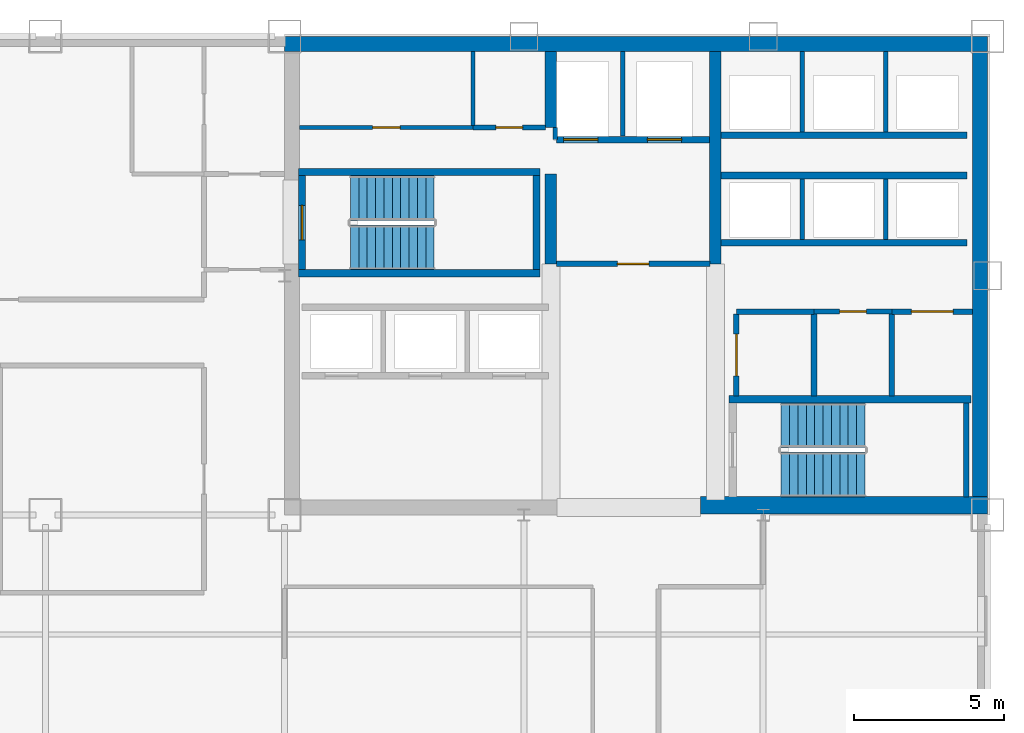
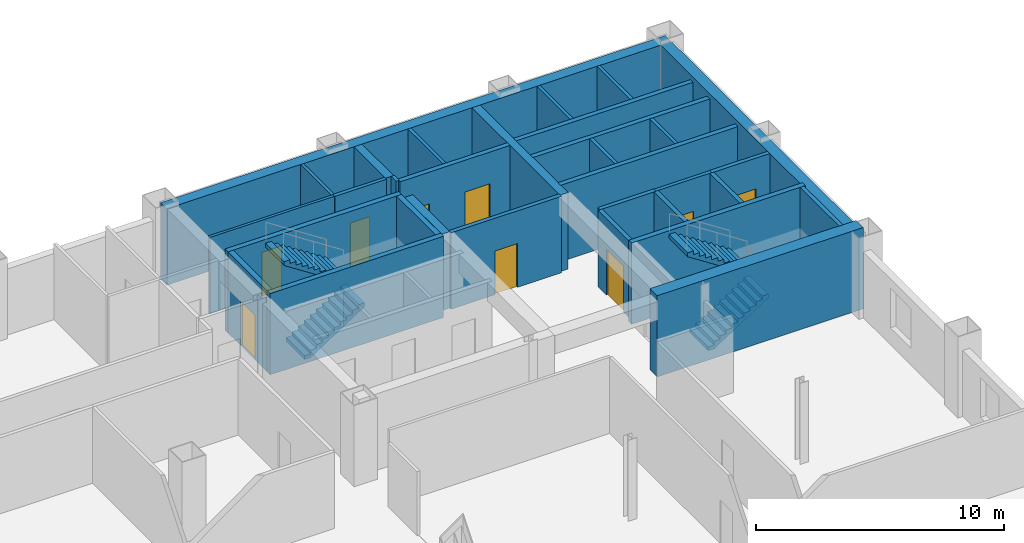
# One storey, part 7 of 9: 32 walls, 9 doors, 4 stair flights, 9 openings, 2 elements without a shape of their own.
"""IFC4 building model written with IfcOpenShell, lengths in metres."""

from ifc_helpers import new_model, si_unit, direction, frame, frame_2d, origin, place, context, subcontext, project, spatial, polyline, rectangle, outline, extrude, material, layer, layer_set, type_object, element, fill, aggregate, save


model = new_model("IFC4")

# Units and contexts
model_context = context("Model", 3, precision=1e-05, world=origin(), true_north=direction((0.0, 1.0)))
body_context = subcontext(model_context, "Body", "Model", "MODEL_VIEW")
ifc_project = project(units=[si_unit("LENGTHUNIT", "METRE"), si_unit("AREAUNIT", "SQUARE_METRE"), si_unit("VOLUMEUNIT", "CUBIC_METRE"), si_unit("PLANEANGLEUNIT", "RADIAN"), si_unit("MASSUNIT", "GRAM", prefix="KILO")], contexts=[model_context])

# Site, building, storey
site_placement = place(None, origin())
site = spatial("IfcSite", under=ifc_project, at=site_placement, CompositionType="ELEMENT")
building_placement = place(site_placement, origin())
building = spatial("IfcBuilding", under=site, at=building_placement, Name="Qianrong Seaharbour Tower", CompositionType="ELEMENT")
storey_placement = place(building_placement, frame((0.0, 0.0, 143.0)))
storey = spatial("IfcBuildingStorey", under=building, at=storey_placement, Name="L34", CompositionType="ELEMENT", Elevation=143.0)

# Walls
ifc_material_1 = material(Name="Concrete C60/75", Category="concrete")
ifc_layer_1 = layer(ifc_material_1, 0.5)
ifc_layer_set_1 = layer_set([ifc_layer_1], Name="Concrete C60/75")
wall_type_1 = type_object("IfcWallType", Name="WALL-CORE-500", PredefinedType="SHEAR", material=ifc_layer_set_1)
wall_1_placement = place(storey_placement, frame((40.5, 51.75, 0.0), z_axis=(0.0, 0.0, 1.0), x_axis=(1.0, 0.0, 0.0)))
element("IfcWall", 1, at=wall_1_placement, inside=storey, type_object=wall_type_1, Name="L34 North Core Shear Wall", PredefinedType="SHEAR", context=body_context, shape_type="SweptSolid", body=[
    extrude(rectangle(XDim=23.5, YDim=0.5, at=frame_2d((11.75, 0.0))), origin(), (0.0, 0.0, 1.0), 3.764892578125),
])
wall_2_placement = place(storey_placement, frame((63.75, 36.320068359375, 0.0), z_axis=(0.0, 0.0, 1.0), x_axis=(0.0, 1.0, 0.0)))
element("IfcWall", 2, at=wall_2_placement, inside=storey, type_object=wall_type_1, Name="L34 East Core Shear Wall", PredefinedType="SHEAR", context=body_context, shape_type="SweptSolid", body=[
    extrude(rectangle(XDim=15.179931640625, YDim=0.5, at=frame_2d((7.58984375, 0.0))), origin(), (0.0, 0.0, 1.0), 3.764892578125),
])
ifc_material_2 = material(Name="Concrete C70/85", Category="concrete")
ifc_layer_2 = layer(ifc_material_2, 0.580078125)
ifc_layer_set_2 = layer_set([ifc_layer_2], Name="Concrete C70/85")
wall_type_2 = type_object("IfcWallType", Name="WALL-CORE-580", PredefinedType="SHEAR", material=ifc_layer_set_2)
wall_3_placement = place(storey_placement, frame((54.39990234375, 36.320068359375, 0.0), z_axis=(0.0, 0.0, 1.0), x_axis=(1.0, 0.0, 0.0)))
element("IfcWall", 3, at=wall_3_placement, inside=storey, type_object=wall_type_2, Name="L34 South Core Shear Wall S3", PredefinedType="SHEAR", context=body_context, shape_type="SweptSolid", body=[
    extrude(rectangle(XDim=9.60009765625, YDim=0.580078125, at=frame_2d((4.800048828125, 0.0))), origin(), (0.0, 0.0, 1.0), 4.0),
])
ifc_layer_3 = layer(ifc_material_1, 0.3798828125)
ifc_layer_set_3 = layer_set([ifc_layer_3], Name="Concrete C60/75")
wall_type_3 = type_object("IfcWallType", Name="WALL-CORE-INT-380", PredefinedType="SHEAR", material=ifc_layer_set_3)
wall_4_placement = place(storey_placement, frame((49.39990234375, 44.39990234375, 0.0), z_axis=(0.0, 0.0, 1.0), x_axis=(0.0, 1.0, 0.0)))
element("IfcWall", 4, at=wall_4_placement, inside=storey, type_object=wall_type_3, Name="L34 Internal Core Shear Wall IW1N1", PredefinedType="SHEAR", context=body_context, shape_type="SweptSolid", body=[
    extrude(rectangle(XDim=3.0, YDim=0.3798828125, at=frame_2d((1.5, 0.0))), origin(), (0.0, 0.0, 1.0), 3.764892578125),
])
wall_5_placement = place(storey_placement, frame((49.39990234375, 48.949951171875, 0.0), z_axis=(0.0, 0.0, 1.0), x_axis=(0.0, 1.0, 0.0)))
element("IfcWall", 5, at=wall_5_placement, inside=storey, type_object=wall_type_3, Name="L34 Internal Core Shear Wall IW1N2", PredefinedType="SHEAR", context=body_context, shape_type="SweptSolid", body=[
    extrude(rectangle(XDim=2.550048828125, YDim=0.3798828125, at=frame_2d((1.27490234375, 0.0))), origin(), (0.0, 0.0, 1.0), 3.764892578125),
])
wall_6_placement = place(storey_placement, frame((54.89990234375, 44.39990234375, 0.0), z_axis=(0.0, 0.0, 1.0), x_axis=(0.0, 1.0, 0.0)))
element("IfcWall", 6, at=wall_6_placement, inside=storey, type_object=wall_type_3, Name="L34 Internal Core Shear Wall IW2N", PredefinedType="SHEAR", context=body_context, shape_type="SweptSolid", body=[
    extrude(rectangle(XDim=7.10009765625, YDim=0.3798828125, at=frame_2d((3.550048828125, 0.0))), origin(), (0.0, 0.0, 1.0), 3.764892578125),
])

# Wall, opening, door
ifc_material_3 = material(Name="Fire-rated acoustic gypsum board partition")
ifc_layer_4 = layer(ifc_material_3, 0.1650390625)
ifc_layer_set_4 = layer_set([ifc_layer_4], Name="Fire-rated acoustic gypsum board partition")
wall_type_4 = type_object("IfcWallType", Name="WALL-CORR-PART-165", PredefinedType="PARTITIONING", material=ifc_layer_set_4)
wall_7_placement = place(storey_placement, frame((46.800048828125, 48.949951171875, 0.0), z_axis=(0.0, 0.0, 1.0), x_axis=(1.0, 0.0, 0.0)))
wall_7 = element("IfcWall", 7, at=wall_7_placement, inside=storey, type_object=wall_type_4, Name="L34 Interior Partition Wall 008", PredefinedType="PARTITIONING", context=body_context, shape_type="SweptSolid", body=[
    extrude(rectangle(XDim=2.41796875, YDim=0.1650390625, at=frame_2d((1.208984375, 0.0))), origin(), (0.0, 0.0, 1.0), 3.764892578125),
])
opening_1_placement = place(wall_7_placement, frame((0.759033203125, 0.0, 0.0)))
opening_1 = element("IfcOpeningElement", 8, at=opening_1_placement, cuts=wall_7, Name="Opening DS-01", PredefinedType="OPENING", context=body_context, shape_type="SweptSolid", body=[
    extrude(rectangle(XDim=0.89990234375, YDim=2.14990234375, at=frame_2d((0.449951171875, 1.074951171875))), frame((0.0, 0.092529296875, 0.0), z_axis=(0.0, -1.0, 0.0), x_axis=(1.0, 0.0, 0.0)), (0.0, 0.0, 1.0), 0.18505859375),
])
ifc_material_4 = material(Name="Acoustic timber and galvanized steel fire door assembly", Category="steel")
door_type_1 = type_object("IfcDoorType", Name="DOOR-STORE-900x2150", OperationType="NOTDEFINED", PredefinedType="DOOR", material=ifc_material_4)
door_1_placement = place(opening_1_placement, origin())
door_1 = element("IfcDoor", 9, at=door_1_placement, inside=storey, type_object=door_type_1, Name="L34 Janitor Store Room Door", OperationType="SINGLE_SWING_RIGHT", OverallHeight=2.14990234375, OverallWidth=0.89990234375, PredefinedType="DOOR", context=body_context, shape_type="SweptSolid", body=[
    extrude(rectangle(XDim=0.89990234375, YDim=2.14990234375, at=frame_2d((0.449951171875, 1.074951171875))), frame((0.0, 0.02490234375, 0.0), z_axis=(0.0, -1.0, 0.0), x_axis=(1.0, 0.0, 0.0)), (0.0, 0.0, 1.0), 0.050048828125),
])
fill(opening_1, door_1)

wall_8_placement = place(storey_placement, frame((60.800048828125, 42.800048828125, 0.0), z_axis=(0.0, 0.0, 1.0), x_axis=(-1.0, 0.0, 0.0)))
wall_8 = element("IfcWall", 10, at=wall_8_placement, inside=storey, type_object=wall_type_4, Name="L34 Interior Partition Wall 012", PredefinedType="PARTITIONING", context=body_context, shape_type="SweptSolid", body=[
    extrude(rectangle(XDim=2.60009765625, YDim=0.1650390625, at=frame_2d((1.300048828125, 0.0))), origin(), (0.0, 0.0, 1.0), 3.764892578125),
])
opening_2_placement = place(wall_8_placement, frame((0.85009765625, 0.0, 0.0)))
opening_2 = element("IfcOpeningElement", 11, at=opening_2_placement, cuts=wall_8, Name="Opening DS-01", PredefinedType="OPENING", context=body_context, shape_type="SweptSolid", body=[
    extrude(rectangle(XDim=0.89990234375, YDim=2.14990234375, at=frame_2d((0.449951171875, 1.074951171875))), frame((0.0, 0.092529296875, 0.0), z_axis=(0.0, -1.0, 0.0), x_axis=(1.0, 0.0, 0.0)), (0.0, 0.0, 1.0), 0.18505859375),
])
door_2_placement = place(opening_2_placement, origin())
door_2 = element("IfcDoor", 12, at=door_2_placement, inside=storey, type_object=door_type_1, Name="L34 Supply Store Room Door", OperationType="SINGLE_SWING_LEFT", OverallHeight=2.14990234375, OverallWidth=0.89990234375, PredefinedType="DOOR", context=body_context, shape_type="SweptSolid", body=[
    extrude(rectangle(XDim=0.89990234375, YDim=2.14990234375, at=frame_2d((0.449951171875, 1.074951171875))), frame((0.0, 0.02490234375, 0.0), z_axis=(0.0, -1.0, 0.0), x_axis=(1.0, 0.0, 0.0)), (0.0, 0.0, 1.0), 0.050048828125),
])
fill(opening_2, door_2)

ifc_material_5 = material(Name="Double fire-rated gypsum board acoustic partition")
ifc_layer_5 = layer(ifc_material_5, 0.18994140625)
ifc_layer_set_5 = layer_set([ifc_layer_5], Name="Double fire-rated gypsum board acoustic partition")
wall_type_5 = type_object("IfcWallType", Name="WALL-FIRE-PART-190", PredefinedType="PARTITIONING", material=ifc_layer_set_5)
wall_9_placement = place(storey_placement, frame((54.718017578125, 44.39990234375, 0.0), z_axis=(0.0, 0.0, 1.0), x_axis=(-1.0, 0.0, 0.0)))
wall_9 = element("IfcWall", 13, at=wall_9_placement, inside=storey, type_object=wall_type_5, Name="L34 Interior Partition Wall 009", PredefinedType="PARTITIONING", context=body_context, shape_type="SweptSolid", body=[
    extrude(rectangle(XDim=5.135986328125, YDim=0.18994140625, at=frame_2d((2.56787109375, 0.0))), origin(), (0.0, 0.0, 1.0), 3.764892578125),
])
opening_3_placement = place(wall_9_placement, frame((2.04296875, 0.0, 0.0)))
opening_3 = element("IfcOpeningElement", 14, at=opening_3_placement, cuts=wall_9, Name="Opening DC-01", PredefinedType="OPENING", context=body_context, shape_type="SweptSolid", body=[
    extrude(rectangle(XDim=1.050048828125, YDim=2.14990234375, at=frame_2d((0.52490234375, 1.074951171875))), frame((0.0, 0.10498046875, 0.0), z_axis=(0.0, -1.0, 0.0), x_axis=(1.0, 0.0, 0.0)), (0.0, 0.0, 1.0), 0.2099609375),
])
door_type_2 = type_object("IfcDoorType", Name="DOOR-CORR-FD60-1050x2150", OperationType="NOTDEFINED", PredefinedType="DOOR", material=ifc_material_4)
door_3_placement = place(opening_3_placement, origin())
door_3 = element("IfcDoor", 15, at=door_3_placement, inside=storey, type_object=door_type_2, Name="L34 Firefighting Lift Lobby Door", OperationType="SINGLE_SWING_RIGHT", OverallHeight=2.14990234375, OverallWidth=1.050048828125, PredefinedType="DOOR", context=body_context, shape_type="SweptSolid", body=[
    extrude(rectangle(XDim=1.050048828125, YDim=2.14990234375, at=frame_2d((0.52490234375, 1.074951171875))), frame((0.0, 0.02490234375, 0.0), z_axis=(0.0, -1.0, 0.0), x_axis=(1.0, 0.0, 0.0)), (0.0, 0.0, 1.0), 0.050048828125),
])
fill(opening_3, door_3)

wall_10_placement = place(storey_placement, frame((55.60009765625, 42.712890625, 0.0), z_axis=(0.0, 0.0, 1.0), x_axis=(0.0, -1.0, 0.0)))
wall_10 = element("IfcWall", 16, at=wall_10_placement, inside=storey, type_object=wall_type_5, Name="L34 Interior Partition Wall 010", PredefinedType="PARTITIONING", context=body_context, shape_type="SweptSolid", body=[
    extrude(rectangle(XDim=2.73095703125, YDim=0.18994140625, at=frame_2d((1.365478515625, 0.0))), origin(), (0.0, 0.0, 1.0), 3.764892578125),
])
opening_4_placement = place(wall_10_placement, frame((0.66552734375, 0.0, 0.0)))
opening_4 = element("IfcOpeningElement", 17, at=opening_4_placement, cuts=wall_10, Name="Opening DP-01", PredefinedType="OPENING", context=body_context, shape_type="SweptSolid", body=[
    extrude(rectangle(XDim=1.39990234375, YDim=2.25, at=frame_2d((0.699951171875, 1.125))), frame((0.0, 0.10498046875, 0.0), z_axis=(0.0, -1.0, 0.0), x_axis=(1.0, 0.0, 0.0)), (0.0, 0.0, 1.0), 0.2099609375),
])
door_type_3 = type_object("IfcDoorType", Name="DOOR-PLANT-PAIR-1400x2250", OperationType="DOUBLE_DOOR_SINGLE_SWING", PredefinedType="DOOR", material=ifc_material_4)
door_4_placement = place(opening_4_placement, origin())
door_4 = element("IfcDoor", 18, at=door_4_placement, inside=storey, type_object=door_type_3, Name="L34 Core Telecom Room Door", OperationType="DOUBLE_DOOR_SINGLE_SWING", OverallHeight=2.25, OverallWidth=1.39990234375, PredefinedType="DOOR", context=body_context, shape_type="SweptSolid", body=[
    extrude(rectangle(XDim=1.39990234375, YDim=2.25, at=frame_2d((0.699951171875, 1.125))), frame((0.0, 0.02490234375, 0.0), z_axis=(0.0, -1.0, 0.0), x_axis=(1.0, 0.0, 0.0)), (0.0, 0.0, 1.0), 0.050048828125),
])
fill(opening_4, door_4)

# Wall
wall_11_placement = place(storey_placement, frame((58.199951171875, 42.800048828125, 0.0), z_axis=(0.0, 0.0, 1.0), x_axis=(-1.0, 0.0, 0.0)))
element("IfcWall", 19, at=wall_11_placement, inside=storey, type_object=wall_type_5, Name="L34 Interior Partition Wall 011", PredefinedType="PARTITIONING", context=body_context, shape_type="SweptSolid", body=[
    extrude(rectangle(XDim=2.599853515625, YDim=0.18994140625, at=frame_2d((1.2998046875, 0.0))), origin(), (0.0, 0.0, 1.0), 3.764892578125),
])

# Wall, opening, door
wall_12_placement = place(storey_placement, frame((63.5, 42.800048828125, 0.0), z_axis=(0.0, 0.0, 1.0), x_axis=(-1.0, 0.0, 0.0)))
wall_12 = element("IfcWall", 20, at=wall_12_placement, inside=storey, type_object=wall_type_5, Name="L34 Interior Partition Wall 013", PredefinedType="PARTITIONING", context=body_context, shape_type="SweptSolid", body=[
    extrude(rectangle(XDim=2.699951171875, YDim=0.18994140625, at=frame_2d((1.35009765625, 0.0))), origin(), (0.0, 0.0, 1.0), 3.764892578125),
])
opening_5_placement = place(wall_12_placement, frame((0.64990234375, 0.0, 0.0)))
opening_5 = element("IfcOpeningElement", 21, at=opening_5_placement, cuts=wall_12, Name="Opening DP-01", PredefinedType="OPENING", context=body_context, shape_type="SweptSolid", body=[
    extrude(rectangle(XDim=1.39990234375, YDim=2.25, at=frame_2d((0.699951171875, 1.125))), frame((0.0, 0.10498046875, 0.0), z_axis=(0.0, -1.0, 0.0), x_axis=(1.0, 0.0, 0.0)), (0.0, 0.0, 1.0), 0.2099609375),
])
door_5_placement = place(opening_5_placement, origin())
door_5 = element("IfcDoor", 22, at=door_5_placement, inside=storey, type_object=door_type_3, Name="L34 Building Metering Room Door", OperationType="DOUBLE_DOOR_SINGLE_SWING", OverallHeight=2.25, OverallWidth=1.39990234375, PredefinedType="DOOR", context=body_context, shape_type="SweptSolid", body=[
    extrude(rectangle(XDim=1.39990234375, YDim=2.25, at=frame_2d((0.699951171875, 1.125))), frame((0.0, 0.02490234375, 0.0), z_axis=(0.0, -1.0, 0.0), x_axis=(1.0, 0.0, 0.0)), (0.0, 0.0, 1.0), 0.050048828125),
])
fill(opening_5, door_5)

# Walls
for number, where, z_axis, x_axis, name in (
    (23, (58.199951171875, 42.712890625, 0.0), (0.0, 0.0, 1.0), (0.0, -1.0, 0.0), "L34 Interior Partition Wall 015"),
    (24, (60.800048828125, 42.712890625, 0.0), (0.0, 0.0, 1.0), (0.0, -1.0, 0.0), "L34 Interior Partition Wall 016"),
):
    element("IfcWall", number, at=place(storey_placement, frame(where, z_axis=z_axis, x_axis=x_axis)), inside=storey, type_object=wall_type_5, Name=name, PredefinedType="PARTITIONING", context=body_context, shape_type="SweptSolid", body=[
        extrude(rectangle(XDim=2.73095703125, YDim=0.18994140625, at=frame_2d((1.365478515625, 0.0))), origin(), (0.0, 0.0, 1.0), 3.764892578125),
    ])
ifc_material_6 = material(Name="Fire-rated gypsum board on steel studs", Category="steel")
ifc_layer_6 = layer(ifc_material_6, 0.14990234375)
ifc_layer_set_6 = layer_set([ifc_layer_6], Name="Fire-rated gypsum board on steel studs")
wall_type_6 = type_object("IfcWallType", Name="WALL-SHAFT-DIV-150", PredefinedType="PARTITIONING", material=ifc_layer_set_6)
wall_13_placement = place(storey_placement, frame((51.800048828125, 48.669921875, 0.0), z_axis=(0.0, 0.0, 1.0), x_axis=(0.0, 1.0, 0.0)))
element("IfcWall", 25, at=wall_13_placement, inside=storey, type_object=wall_type_6, Name="L34 Firefighting Lift Shaft Divider Wall", PredefinedType="PARTITIONING", context=body_context, shape_type="SweptSolid", body=[
    extrude(rectangle(XDim=2.830078125, YDim=0.14990234375, at=frame_2d((1.4150390625, 0.0))), origin(), (0.0, 0.0, 1.0), 3.764892578125),
])
wall_14_placement = place(storey_placement, frame((49.550048828125, 48.550048828125, 0.0), z_axis=(0.0, 0.0, 1.0), x_axis=(0.0, 1.0, 0.0)))
element("IfcWall", 26, at=wall_14_placement, inside=storey, type_object=wall_type_6, Name="L34 Firefighting Lift Shaft West Return Wall", PredefinedType="PARTITIONING", context=body_context, shape_type="SweptSolid", body=[
    extrude(rectangle(XDim=0.39990234375, YDim=0.14990234375, at=frame_2d((0.199951171875, 0.0))), origin(), (0.0, 0.0, 1.0), 3.764892578125),
])
for number, where, z_axis, x_axis, name in (
    (27, (57.800048828125, 45.2099609375, 0.0), (0.0, 0.0, 1.0), (0.0, 1.0, 0.0), "L34 P3 Lift Hoistway Divider 2"),
    (28, (60.60009765625, 45.2099609375, 0.0), (0.0, 0.0, 1.0), (0.0, 1.0, 0.0), "L34 P3 Lift Hoistway Divider 3"),
):
    element("IfcWall", number, at=place(storey_placement, frame(where, z_axis=z_axis, x_axis=x_axis)), inside=storey, type_object=wall_type_6, Name=name, PredefinedType="PARTITIONING", context=body_context, shape_type="SweptSolid", body=[
        extrude(rectangle(XDim=2.030029296875, YDim=0.14990234375, at=frame_2d((1.01513671875, 0.0))), origin(), (0.0, 0.0, 1.0), 3.764892578125),
    ])
for number, where, z_axis, x_axis, name in (
    (29, (57.800048828125, 48.81005859375, 0.0), (0.0, 0.0, 1.0), (0.0, 1.0, 0.0), "L34 P4 Lift Hoistway Divider 2"),
    (30, (60.60009765625, 48.81005859375, 0.0), (0.0, 0.0, 1.0), (0.0, 1.0, 0.0), "L34 P4 Lift Hoistway Divider 3"),
):
    element("IfcWall", number, at=place(storey_placement, frame(where, z_axis=z_axis, x_axis=x_axis)), inside=storey, type_object=wall_type_6, Name=name, PredefinedType="PARTITIONING", context=body_context, shape_type="SweptSolid", body=[
        extrude(rectangle(XDim=2.68994140625, YDim=0.14990234375, at=frame_2d((1.344970703125, 0.0))), origin(), (0.0, 0.0, 1.0), 3.764892578125),
    ])

# Wall, openings, doors
ifc_layer_7 = layer(ifc_material_6, 0.219970703125)
ifc_layer_set_7 = layer_set([ifc_layer_7], Name="Fire-rated gypsum board on steel studs")
wall_type_7 = type_object("IfcWallType", Name="WALL-SHAFT-GYP220", PredefinedType="PARTITIONING", material=ifc_layer_set_7)
wall_15_placement = place(storey_placement, frame((54.7099609375, 48.550048828125, 0.0), z_axis=(0.0, 0.0, 1.0), x_axis=(-1.0, 0.0, 0.0)))
wall_15 = element("IfcWall", 31, at=wall_15_placement, inside=storey, type_object=wall_type_7, Name="L34 Firefighting Lift Shaft Front Wall", PredefinedType="PARTITIONING", context=body_context, shape_type="SweptSolid", body=[
    extrude(rectangle(XDim=5.119873046875, YDim=0.219970703125, at=frame_2d((2.56005859375, 0.0))), origin(), (0.0, 0.0, 1.0), 3.764892578125),
])
opening_6_placement = place(wall_15_placement, frame((3.735107421875, 0.0, 0.0)))
opening_6 = element("IfcOpeningElement", 32, at=opening_6_placement, cuts=wall_15, Name="Opening LD-01", PredefinedType="OPENING", context=body_context, shape_type="SweptSolid", body=[
    extrude(rectangle(XDim=1.14990234375, YDim=2.199951171875, at=frame_2d((0.574951171875, 1.10009765625))), frame((0.0, 0.1201171875, 0.0), z_axis=(0.0, -1.0, 0.0), x_axis=(1.0, 0.0, 0.0)), (0.0, 0.0, 1.0), 0.239990234375),
])
opening_7_placement = place(wall_15_placement, frame((0.93505859375, 0.0, 0.0)))
opening_7 = element("IfcOpeningElement", 33, at=opening_7_placement, cuts=wall_15, Name="Opening LD-01", PredefinedType="OPENING", context=body_context, shape_type="SweptSolid", body=[
    extrude(rectangle(XDim=1.14990234375, YDim=2.199951171875, at=frame_2d((0.574951171875, 1.10009765625))), frame((0.0, 0.1201171875, 0.0), z_axis=(0.0, -1.0, 0.0), x_axis=(1.0, 0.0, 0.0)), (0.0, 0.0, 1.0), 0.239990234375),
])
ifc_material_7 = material(Name="Stainless steel SUS316L bi-parting lift landing door", Category="steel")
door_type_4 = type_object("IfcDoorType", Name="DOOR-LIFT-FF-1150x2200", OperationType="DOUBLE_DOOR_SLIDING", PredefinedType="DOOR", material=ifc_material_7)
door_6_placement = place(opening_6_placement, origin())
door_6 = element("IfcDoor", 34, at=door_6_placement, inside=storey, type_object=door_type_4, Name="L34 FL-1 Firefighting Lift Landing Door", OperationType="DOUBLE_DOOR_SLIDING", OverallHeight=2.199951171875, OverallWidth=1.14990234375, PredefinedType="DOOR", context=body_context, shape_type="SweptSolid", body=[
    extrude(rectangle(XDim=1.14990234375, YDim=2.199951171875, at=frame_2d((0.574951171875, 1.10009765625))), frame((0.0, 0.02490234375, 0.0), z_axis=(0.0, -1.0, 0.0), x_axis=(1.0, 0.0, 0.0)), (0.0, 0.0, 1.0), 0.050048828125),
])
fill(opening_6, door_6)
door_7_placement = place(opening_7_placement, origin())
door_7 = element("IfcDoor", 35, at=door_7_placement, inside=storey, type_object=door_type_4, Name="L34 FL-2 Firefighting Lift Landing Door", OperationType="DOUBLE_DOOR_SLIDING", OverallHeight=2.199951171875, OverallWidth=1.14990234375, PredefinedType="DOOR", context=body_context, shape_type="SweptSolid", body=[
    extrude(rectangle(XDim=1.14990234375, YDim=2.199951171875, at=frame_2d((0.574951171875, 1.10009765625))), frame((0.0, 0.02490234375, 0.0), z_axis=(0.0, -1.0, 0.0), x_axis=(1.0, 0.0, 0.0)), (0.0, 0.0, 1.0), 0.050048828125),
])
fill(opening_7, door_7)

# Walls
for number, where, z_axis, x_axis, name in (
    (36, (63.320068359375, 45.10009765625, 0.0), (0.0, 0.0, 1.0), (-1.0, 0.0, 0.0), "L34 P3 Lift Hoistway Front Wall"),
    (37, (55.080078125, 47.35009765625, 0.0), (0.0, 0.0, 1.0), (1.0, 0.0, 0.0), "L34 P3 Lift Hoistway Back Wall"),
    (38, (63.320068359375, 48.699951171875, 0.0), (0.0, 0.0, 1.0), (-1.0, 0.0, 0.0), "L34 P4 Lift Hoistway Front Wall"),
):
    element("IfcWall", number, at=place(storey_placement, frame(where, z_axis=z_axis, x_axis=x_axis)), inside=storey, type_object=wall_type_7, Name=name, PredefinedType="PARTITIONING", context=body_context, shape_type="SweptSolid", body=[
        extrude(rectangle(XDim=8.239990234375, YDim=0.219970703125, at=frame_2d((4.1201171875, 0.0))), origin(), (0.0, 0.0, 1.0), 3.764892578125),
    ])
ifc_material_8 = material(Name="Concrete C50/60", Category="concrete")
ifc_layer_8 = layer(ifc_material_8, 0.239990234375)
ifc_layer_set_8 = layer_set([ifc_layer_8], Name="Concrete C50/60")
wall_type_8 = type_object("IfcWallType", Name="WALL-SHAFT-RC240", PredefinedType="SOLIDWALL", material=ifc_layer_set_8)
for number, where, z_axis, x_axis, name in (
    (39, (40.9599609375, 47.469970703125, 0.0), (0.0, 0.0, 1.0), (1.0, 0.0, 0.0), "L34 ST-1 Structural Stair Core Wall N"),
    (40, (49.0400390625, 44.080078125, 0.0), (0.0, 0.0, 1.0), (-1.0, 0.0, 0.0), "L34 ST-1 Structural Stair Core Wall S"),
):
    element("IfcWall", number, at=place(storey_placement, frame(where, z_axis=z_axis, x_axis=x_axis)), inside=storey, type_object=wall_type_8, Name=name, PredefinedType="SOLIDWALL", context=body_context, shape_type="SweptSolid", body=[
        extrude(rectangle(XDim=8.080078125, YDim=0.239990234375, at=frame_2d((4.0400390625, 0.0))), origin(), (0.0, 0.0, 1.0), 4.0),
    ])

# Wall, opening, door
wall_16_placement = place(storey_placement, frame((41.080078125, 47.35009765625, 0.0), z_axis=(0.0, 0.0, 1.0), x_axis=(0.0, -1.0, 0.0)))
wall_16 = element("IfcWall", 41, at=wall_16_placement, inside=storey, type_object=wall_type_8, Name="L34 ST-1 Structural Stair Core Wall W", PredefinedType="SOLIDWALL", context=body_context, shape_type="SweptSolid", body=[
    extrude(rectangle(XDim=3.150146484375, YDim=0.239990234375, at=frame_2d((1.5751953125, 0.0))), origin(), (0.0, 0.0, 1.0), 4.0),
])
opening_8_placement = place(wall_16_placement, frame((1.0, 0.0, 0.0)))
opening_8 = element("IfcOpeningElement", 42, at=opening_8_placement, cuts=wall_16, Name="Opening SD-01", PredefinedType="OPENING", context=body_context, shape_type="SweptSolid", body=[
    extrude(rectangle(XDim=1.14990234375, YDim=2.199951171875, at=frame_2d((0.574951171875, 1.10009765625))), frame((0.0, 0.1298828125, 0.0), z_axis=(0.0, -1.0, 0.0), x_axis=(1.0, 0.0, 0.0)), (0.0, 0.0, 1.0), 0.260009765625),
])
door_type_5 = type_object("IfcDoorType", Name="DOOR-STAIR-FD60-1150x2200", OperationType="NOTDEFINED", PredefinedType="DOOR", material=ifc_material_4)
door_8_placement = place(opening_8_placement, origin())
door_8 = element("IfcDoor", 43, at=door_8_placement, inside=storey, type_object=door_type_5, Name="L34 ST-1 Protected Stair Door", OperationType="SINGLE_SWING_LEFT", OverallHeight=2.199951171875, OverallWidth=1.14990234375, PredefinedType="DOOR", context=body_context, shape_type="SweptSolid", body=[
    extrude(rectangle(XDim=1.14990234375, YDim=2.199951171875, at=frame_2d((0.574951171875, 1.10009765625))), frame((0.0, 0.02490234375, 0.0), z_axis=(0.0, -1.0, 0.0), x_axis=(1.0, 0.0, 0.0)), (0.0, 0.0, 1.0), 0.050048828125),
])
fill(opening_8, door_8)

# Walls
wall_17_placement = place(storey_placement, frame((48.919921875, 44.199951171875, 0.0), z_axis=(0.0, 0.0, 1.0), x_axis=(0.0, 1.0, 0.0)))
element("IfcWall", 44, at=wall_17_placement, inside=storey, type_object=wall_type_8, Name="L34 ST-1 Structural Stair Core Wall E", PredefinedType="SOLIDWALL", context=body_context, shape_type="SweptSolid", body=[
    extrude(rectangle(XDim=3.150146484375, YDim=0.239990234375, at=frame_2d((1.5751953125, 0.0))), origin(), (0.0, 0.0, 1.0), 4.0),
])
wall_18_placement = place(storey_placement, frame((55.360107421875, 39.8701171875, 0.0), z_axis=(0.0, 0.0, 1.0), x_axis=(1.0, 0.0, 0.0)))
element("IfcWall", 45, at=wall_18_placement, inside=storey, type_object=wall_type_8, Name="L34 ST-2 Structural Stair Core Wall N", PredefinedType="SOLIDWALL", context=body_context, shape_type="SweptSolid", body=[
    extrude(rectangle(XDim=8.079833984375, YDim=0.239990234375, at=frame_2d((4.0400390625, 0.0))), origin(), (0.0, 0.0, 1.0), 4.0),
])
wall_19_placement = place(storey_placement, frame((63.2900390625, 36.60009765625, 0.0), z_axis=(0.0, 0.0, 1.0), x_axis=(0.0, 1.0, 0.0)))
element("IfcWall", 46, at=wall_19_placement, inside=storey, type_object=wall_type_8, Name="L34 ST-2 Structural Stair Core Wall E", PredefinedType="SOLIDWALL", context=body_context, shape_type="SweptSolid", body=[
    extrude(rectangle(XDim=3.14990234375, YDim=0.179931640625, at=frame_2d((1.574951171875, 0.0))), origin(), (0.0, 0.0, 1.0), 4.0),
])

# Wall, opening, door
ifc_material_9 = material(Name="Water-resistant cement board sanitary partition")
ifc_layer_9 = layer(ifc_material_9, 0.1298828125)
ifc_layer_set_9 = layer_set([ifc_layer_9], Name="Water-resistant cement board sanitary partition")
wall_type_9 = type_object("IfcWallType", Name="WALL-WET-PART-130", PredefinedType="PARTITIONING", material=ifc_layer_set_9)
wall_20_placement = place(storey_placement, frame((41.0, 48.949951171875, 0.0), z_axis=(0.0, 0.0, 1.0), x_axis=(1.0, 0.0, 0.0)))
wall_20 = element("IfcWall", 47, at=wall_20_placement, inside=storey, type_object=wall_type_9, Name="L34 Interior Partition Wall 007", PredefinedType="PARTITIONING", context=body_context, shape_type="SweptSolid", body=[
    extrude(rectangle(XDim=5.800048828125, YDim=0.1298828125, at=frame_2d((2.89990234375, 0.0))), origin(), (0.0, 0.0, 1.0), 3.764892578125),
])
opening_9_placement = place(wall_20_placement, frame((2.43994140625, 0.0, 0.0)))
opening_9 = element("IfcOpeningElement", 48, at=opening_9_placement, cuts=wall_20, Name="Opening DW-01", PredefinedType="OPENING", context=body_context, shape_type="SweptSolid", body=[
    extrude(rectangle(XDim=0.919921875, YDim=2.14990234375, at=frame_2d((0.4599609375, 1.074951171875))), frame((0.0, 0.074951171875, 0.0), z_axis=(0.0, -1.0, 0.0), x_axis=(1.0, 0.0, 0.0)), (0.0, 0.0, 1.0), 0.14990234375),
])
door_type_6 = type_object("IfcDoorType", Name="DOOR-WC-920x2150", OperationType="NOTDEFINED", PredefinedType="DOOR", material=ifc_material_4)
door_9_placement = place(opening_9_placement, origin())
door_9 = element("IfcDoor", 49, at=door_9_placement, inside=storey, type_object=door_type_6, Name="L34 Restroom WC Suite Door", OperationType="SINGLE_SWING_LEFT", OverallHeight=2.14990234375, OverallWidth=0.919921875, PredefinedType="DOOR", context=body_context, shape_type="SweptSolid", body=[
    extrude(rectangle(XDim=0.919921875, YDim=2.14990234375, at=frame_2d((0.4599609375, 1.074951171875))), frame((0.0, 0.02490234375, 0.0), z_axis=(0.0, -1.0, 0.0), x_axis=(1.0, 0.0, 0.0)), (0.0, 0.0, 1.0), 0.050048828125),
])
fill(opening_9, door_9)

# Wall
wall_21_placement = place(storey_placement, frame((46.800048828125, 51.5, 0.0), z_axis=(0.0, 0.0, 1.0), x_axis=(0.0, -1.0, 0.0)))
element("IfcWall", 50, at=wall_21_placement, inside=storey, type_object=wall_type_9, Name="L34 Interior Partition Wall 014", PredefinedType="PARTITIONING", context=body_context, shape_type="SweptSolid", body=[
    extrude(rectangle(XDim=2.4755859375, YDim=0.1298828125, at=frame_2d((1.23779296875, 0.0))), origin(), (0.0, 0.0, 1.0), 3.764892578125),
])

# Stair, stair flights
stair_type = type_object("IfcStairType", Name="STAIR-DOGLEG-1500-R22", PredefinedType="HALF_TURN_STAIR", material=ifc_material_8)
stair_1_placement = place(storey_placement, origin())
stair_1 = element("IfcStair", 51, at=stair_1_placement, inside=storey, type_object=stair_type, Name="L34 Protected Escape Stair ST-1", PredefinedType="HALF_TURN_STAIR")
stair_flight_type = type_object("IfcStairFlightType", Name="FLIGHT-STR-1500-R22", PredefinedType="STRAIGHT", material=ifc_material_8)
stair_flight_1_placement = place(storey_placement, frame((42.699951171875, 44.949951171875, 0.0), z_axis=(0.0, 0.0, 1.0), x_axis=(1.0, 0.0, 0.0)))
stair_flight_1 = element("IfcStairFlight", 52, at=stair_flight_1_placement, type_object=stair_flight_type, Name="ST-1 flight 1", NumberOfRisers=11, NumberOfTreads=10, PredefinedType="STRAIGHT", RiserHeight=0.181818182, TreadLength=0.28, context=body_context, shape_type="SweptSolid", body=[
    extrude(outline(polyline([(0.0, 0.0), (0.0, 0.181884765625), (0.280029296875, 0.181884765625), (0.280029296875, 0.363525390625), (0.56005859375, 0.363525390625), (0.56005859375, 0.54541015625), (0.840087890625, 0.54541015625), (0.840087890625, 0.727294921875), (1.1201171875, 0.727294921875), (1.1201171875, 0.9091796875), (1.39990234375, 0.9091796875), (1.39990234375, 1.0908203125), (1.679931640625, 1.0908203125), (1.679931640625, 1.272705078125), (1.9599609375, 1.272705078125), (1.9599609375, 1.45458984375), (2.239990234375, 1.45458984375), (2.239990234375, 1.636474609375), (2.52001953125, 1.636474609375), (2.52001953125, 1.818115234375), (2.800048828125, 1.818115234375), (2.800048828125, 2.0), (2.800048828125, 1.62744140625), (0.293701171875, 0.0), (0.0, 0.0)])), frame((0.0, 0.75, 0.0), z_axis=(0.0, -1.0, 0.0), x_axis=(1.0, 0.0, 0.0)), (0.0, 0.0, 1.0), 1.5),
])
stair_flight_2_placement = place(storey_placement, frame((45.5, 46.60009765625, 2.0), z_axis=(0.0, 0.0, 1.0), x_axis=(-1.0, 0.0, 0.0)))
stair_flight_2 = element("IfcStairFlight", 53, at=stair_flight_2_placement, type_object=stair_flight_type, Name="ST-1 flight 2", NumberOfRisers=11, NumberOfTreads=10, PredefinedType="STRAIGHT", RiserHeight=0.181818182, TreadLength=0.28, context=body_context, shape_type="SweptSolid", body=[
    extrude(outline(polyline([(0.0, 0.0), (0.0, 0.181884765625), (0.280029296875, 0.181884765625), (0.280029296875, 0.363525390625), (0.56005859375, 0.363525390625), (0.56005859375, 0.54541015625), (0.840087890625, 0.54541015625), (0.840087890625, 0.727294921875), (1.1201171875, 0.727294921875), (1.1201171875, 0.9091796875), (1.39990234375, 0.9091796875), (1.39990234375, 1.0908203125), (1.679931640625, 1.0908203125), (1.679931640625, 1.272705078125), (1.9599609375, 1.272705078125), (1.9599609375, 1.45458984375), (2.239990234375, 1.45458984375), (2.239990234375, 1.636474609375), (2.52001953125, 1.636474609375), (2.52001953125, 1.818115234375), (2.800048828125, 1.818115234375), (2.800048828125, 2.0), (2.800048828125, 1.62744140625), (0.293701171875, 0.0), (0.0, 0.0)])), frame((0.0, 0.75, 0.0), z_axis=(0.0, -1.0, 0.0), x_axis=(1.0, 0.0, 0.0)), (0.0, 0.0, 1.0), 1.5),
])
aggregate(stair_1, [stair_flight_1, stair_flight_2])

stair_2_placement = place(storey_placement, origin())
stair_2 = element("IfcStair", 54, at=stair_2_placement, inside=storey, type_object=stair_type, Name="L34 Protected Escape Stair ST-2", PredefinedType="HALF_TURN_STAIR")
stair_flight_3_placement = place(storey_placement, frame((57.10009765625, 37.35009765625, 0.0), z_axis=(0.0, 0.0, 1.0), x_axis=(1.0, 0.0, 0.0)))
stair_flight_3 = element("IfcStairFlight", 55, at=stair_flight_3_placement, type_object=stair_flight_type, Name="ST-2 flight 1", NumberOfRisers=11, NumberOfTreads=10, PredefinedType="STRAIGHT", RiserHeight=0.181818182, TreadLength=0.28, context=body_context, shape_type="SweptSolid", body=[
    extrude(outline(polyline([(0.0, 0.0), (0.0, 0.181884765625), (0.280029296875, 0.181884765625), (0.280029296875, 0.363525390625), (0.56005859375, 0.363525390625), (0.56005859375, 0.54541015625), (0.840087890625, 0.54541015625), (0.840087890625, 0.727294921875), (1.1201171875, 0.727294921875), (1.1201171875, 0.9091796875), (1.39990234375, 0.9091796875), (1.39990234375, 1.0908203125), (1.679931640625, 1.0908203125), (1.679931640625, 1.272705078125), (1.9599609375, 1.272705078125), (1.9599609375, 1.45458984375), (2.239990234375, 1.45458984375), (2.239990234375, 1.636474609375), (2.52001953125, 1.636474609375), (2.52001953125, 1.818115234375), (2.800048828125, 1.818115234375), (2.800048828125, 2.0), (2.800048828125, 1.62744140625), (0.293701171875, 0.0), (0.0, 0.0)])), frame((0.0, 0.75, 0.0), z_axis=(0.0, -1.0, 0.0), x_axis=(1.0, 0.0, 0.0)), (0.0, 0.0, 1.0), 1.5),
])
stair_flight_4_placement = place(storey_placement, frame((59.89990234375, 39.0, 2.0), z_axis=(0.0, 0.0, 1.0), x_axis=(-1.0, 0.0, 0.0)))
stair_flight_4 = element("IfcStairFlight", 56, at=stair_flight_4_placement, type_object=stair_flight_type, Name="ST-2 flight 2", NumberOfRisers=11, NumberOfTreads=10, PredefinedType="STRAIGHT", RiserHeight=0.181818182, TreadLength=0.28, context=body_context, shape_type="SweptSolid", body=[
    extrude(outline(polyline([(0.0, 0.0), (0.0, 0.181884765625), (0.280029296875, 0.181884765625), (0.280029296875, 0.363525390625), (0.56005859375, 0.363525390625), (0.56005859375, 0.54541015625), (0.840087890625, 0.54541015625), (0.840087890625, 0.727294921875), (1.1201171875, 0.727294921875), (1.1201171875, 0.9091796875), (1.39990234375, 0.9091796875), (1.39990234375, 1.0908203125), (1.679931640625, 1.0908203125), (1.679931640625, 1.272705078125), (1.9599609375, 1.272705078125), (1.9599609375, 1.45458984375), (2.239990234375, 1.45458984375), (2.239990234375, 1.636474609375), (2.52001953125, 1.636474609375), (2.52001953125, 1.818115234375), (2.800048828125, 1.818115234375), (2.800048828125, 2.0), (2.800048828125, 1.62744140625), (0.293701171875, 0.0), (0.0, 0.0)])), frame((0.0, 0.75, 0.0), z_axis=(0.0, -1.0, 0.0), x_axis=(1.0, 0.0, 0.0)), (0.0, 0.0, 1.0), 1.5),
])
aggregate(stair_2, [stair_flight_3, stair_flight_4])

save(model, "model.ifc")
